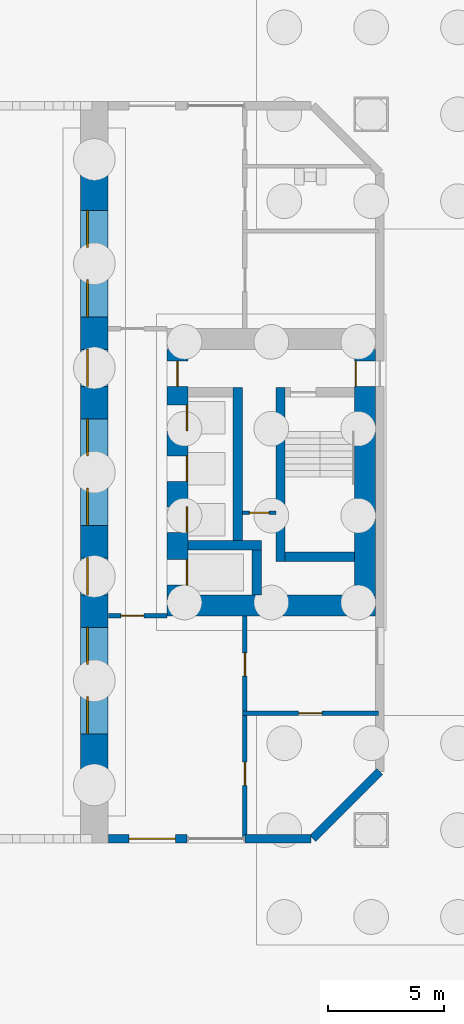
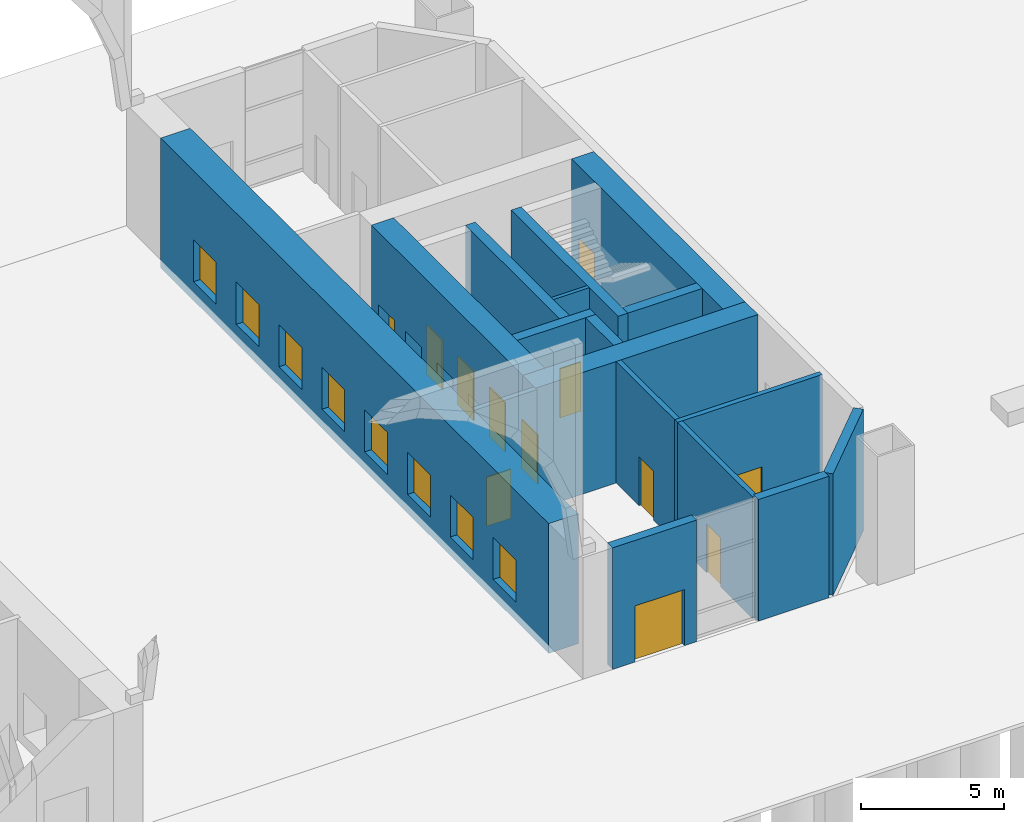
# One storey, part 15 of 26: 16 walls, 12 doors, 8 windows, 20 openings.
"""IFC4 building model written with IfcOpenShell, lengths in metres."""

from ifc_helpers import new_model, si_unit, direction, frame, frame_2d, origin, place, context, subcontext, project, spatial, rectangle, extrude, material, layer, layer_set, type_object, element, fill, save


model = new_model("IFC4")

# Units and contexts
model_context = context("Model", 3, precision=1e-05, world=origin(), true_north=direction((0.0, 1.0)))
body_context = subcontext(model_context, "Body", "Model", "MODEL_VIEW")
ifc_project = project(units=[si_unit("LENGTHUNIT", "METRE"), si_unit("AREAUNIT", "SQUARE_METRE"), si_unit("VOLUMEUNIT", "CUBIC_METRE"), si_unit("PLANEANGLEUNIT", "RADIAN"), si_unit("MASSUNIT", "GRAM", prefix="KILO")], contexts=[model_context])

# Site, building, storey
site_placement = place(None, origin())
site = spatial("IfcSite", under=ifc_project, at=site_placement, CompositionType="ELEMENT")
building_placement = place(site_placement, origin())
building = spatial("IfcBuilding", under=site, at=building_placement, Name="Tuart Gate Housing", CompositionType="ELEMENT")
storey_placement = place(building_placement, origin())
storey = spatial("IfcBuildingStorey", under=building, at=storey_placement, Name="L00", CompositionType="ELEMENT", Elevation=0.0)

# Wall
ifc_material_1 = material(Name="Brick", Category="masonry")
ifc_layer_1 = layer(ifc_material_1, 0.360107421875)
ifc_layer_set_1 = layer_set([ifc_layer_1], Name="Brick pier and spandrel wall 360")
wall_type_1 = type_object("IfcWallType", Name="Brick pier and spandrel wall 360", PredefinedType="STANDARD", material=ifc_layer_set_1)
wall_1_placement = place(storey_placement, frame((70.0, 54.179931640625, 0.0), z_axis=(0.0, 0.0, 1.0), x_axis=(1.0, 0.0, 0.0)))
element("IfcWall", 1, at=wall_1_placement, inside=storey, type_object=wall_type_1, Name="External wall A-S L00", PredefinedType="STANDARD", context=body_context, shape_type="SweptSolid", body=[
    extrude(rectangle(XDim=2.85009765625, YDim=0.360107421875, at=frame_2d((1.425048828125, 0.0))), origin(), (0.0, 0.0, 1.0), 5.199951171875),
])

# Wall, opening, door
wall_2_placement = place(storey_placement, frame((64.10009765625, 54.179931640625, 0.0), z_axis=(0.0, 0.0, 1.0), x_axis=(1.0, 0.0, 0.0)))
wall_2 = element("IfcWall", 2, at=wall_2_placement, inside=storey, type_object=wall_type_1, Name="External wall A-S L00", PredefinedType="STANDARD", context=body_context, shape_type="SweptSolid", body=[
    extrude(rectangle(XDim=3.39990234375, YDim=0.360107421875, at=frame_2d((1.699951171875, 0.0))), origin(), (0.0, 0.0, 1.0), 5.199951171875),
])
opening_1_placement = place(wall_2_placement, frame((0.89990234375, 0.0, 0.0)))
opening_1 = element("IfcOpeningElement", 3, at=opening_1_placement, cuts=wall_2, Name="Opening D2747", PredefinedType="OPENING", context=body_context, shape_type="SweptSolid", body=[
    extrude(rectangle(XDim=2.0, YDim=2.39990234375, at=frame_2d((1.0, 1.199951171875))), frame((0.0, 0.18994140625, 0.0), z_axis=(0.0, -1.0, 0.0), x_axis=(1.0, 0.0, 0.0)), (0.0, 0.0, 1.0), 0.380126953125),
])
ifc_material_2 = material(Name="Aluminium framed glazed door", Category="aluminium")
door_type_1 = type_object("IfcDoorType", Name="Sliding entrance door 2000 x 2400", OperationType="DOUBLE_DOOR_SLIDING", PredefinedType="DOOR", material=ifc_material_2)
door_1_placement = place(opening_1_placement, frame((2.0, 0.0, 0.0), z_axis=(0.0, 0.0, 1.0), x_axis=(-1.0, 0.0, 0.0)))
door_1 = element("IfcDoor", 4, at=door_1_placement, inside=storey, type_object=door_type_1, Name="Leg A residents' entrance lobby sliding door", OperationType="DOUBLE_DOOR_SLIDING", OverallHeight=2.39990234375, OverallWidth=2.0, PredefinedType="DOOR", context=body_context, shape_type="SweptSolid", body=[
    extrude(rectangle(XDim=2.0, YDim=2.39990234375, at=frame_2d((1.0, 1.199951171875))), frame((0.0, 0.025146484375, 0.0), z_axis=(0.0, -1.0, 0.0), x_axis=(1.0, 0.0, 0.0)), (0.0, 0.0, 1.0), 0.050048828125),
])
fill(opening_1, door_1)

# Wall
wall_3_placement = place(storey_placement, frame((72.92529296875, 54.179931640625, 0.0), z_axis=(0.0, 0.0, 1.0), x_axis=(0.707106781187, 0.707106781187, 0.0)))
element("IfcWall", 5, at=wall_3_placement, inside=storey, type_object=wall_type_1, Name="External wall A-SE L00", PredefinedType="STANDARD", context=body_context, shape_type="SweptSolid", body=[
    extrude(rectangle(XDim=4.09375, YDim=0.360107421875, at=frame_2d((2.046875, 0.0))), origin(), (0.0, 0.0, 1.0), 5.199951171875),
])

# Wall, opening, door
ifc_material_3 = material(Name="Plasterboard partition")
ifc_layer_2 = layer(ifc_material_3, 0.14990234375)
ifc_layer_set_2 = layer_set([ifc_layer_2], Name="Core partition 150")
wall_type_2 = type_object("IfcWallType", Name="Core partition 150", PredefinedType="PARTITIONING", material=ifc_layer_set_2)
wall_4_placement = place(storey_placement, frame((69.889892578125, 68.25, 0.0), z_axis=(0.0, 0.0, 1.0), x_axis=(1.0, 0.0, 0.0)))
wall_4 = element("IfcWall", 6, at=wall_4_placement, inside=storey, type_object=wall_type_2, Name="Core partition AG.3", PredefinedType="PARTITIONING", context=body_context, shape_type="SweptSolid", body=[
    extrude(rectangle(XDim=1.4501953125, YDim=0.14990234375, at=frame_2d((0.72509765625, 0.0))), origin(), (0.0, 0.0, 1.0), 5.199951171875),
])
opening_2_placement = place(wall_4_placement, frame((0.300048828125, 0.0, 0.0)))
opening_2 = element("IfcOpeningElement", 7, at=opening_2_placement, cuts=wall_4, Name="Opening D2732", PredefinedType="OPENING", context=body_context, shape_type="SweptSolid", body=[
    extrude(rectangle(XDim=0.85009765625, YDim=2.10009765625, at=frame_2d((0.425048828125, 1.050048828125))), frame((0.0, 0.0849609375, 0.0), z_axis=(0.0, -1.0, 0.0), x_axis=(1.0, 0.0, 0.0)), (0.0, 0.0, 1.0), 0.169921875),
])
ifc_material_4 = material(Name="Steel fire door", Category="steel")
door_type_2 = type_object("IfcDoorType", Name="Riser door 850 x 2100 RH", OperationType="SINGLE_SWING_RIGHT", PredefinedType="DOOR", material=ifc_material_4)
door_2_placement = place(opening_2_placement, frame((0.85009765625, 0.0, 0.0), z_axis=(0.0, 0.0, 1.0), x_axis=(-1.0, 0.0, 0.0)))
door_2 = element("IfcDoor", 8, at=door_2_placement, inside=storey, type_object=door_type_2, Name="Service room door AG.E1", OperationType="SINGLE_SWING_RIGHT", OverallHeight=2.10009765625, OverallWidth=0.85009765625, PredefinedType="DOOR", context=body_context, shape_type="SweptSolid", body=[
    extrude(rectangle(XDim=0.85009765625, YDim=2.10009765625, at=frame_2d((0.425048828125, 1.050048828125))), frame((0.0, 0.025146484375, 0.0), z_axis=(0.0, -1.0, 0.0), x_axis=(1.0, 0.0, 0.0)), (0.0, 0.0, 1.0), 0.050048828125),
])
fill(opening_2, door_2)

# Walls
ifc_material_5 = material(Name="Concrete C60", Category="concrete")
ifc_layer_3 = layer(ifc_material_5, 0.39990234375)
ifc_layer_set_3 = layer_set([ifc_layer_3], Name="Core wall 400 C60")
wall_type_3 = type_object("IfcWallType", Name="Core wall 400 C60", PredefinedType="SHEAR", material=ifc_layer_set_3)
wall_5_placement = place(storey_placement, frame((71.739990234375, 66.35009765625, 0.0), z_axis=(0.0, 0.0, 1.0), x_axis=(1.0, 0.0, 0.0)))
element("IfcWall", 9, at=wall_5_placement, inside=storey, type_object=wall_type_3, Name="Core wall AG.1", PredefinedType="SHEAR", context=body_context, shape_type="SweptSolid", body=[
    extrude(rectangle(XDim=3.0, YDim=0.39990234375, at=frame_2d((1.5, 0.0))), origin(), (0.0, 0.0, 1.0), 5.199951171875),
])
wall_6_placement = place(storey_placement, frame((67.5400390625, 66.85009765625, 0.0), z_axis=(0.0, 0.0, 1.0), x_axis=(1.0, 0.0, 0.0)))
element("IfcWall", 10, at=wall_6_placement, inside=storey, type_object=wall_type_3, Name="Core wall AG.2", PredefinedType="SHEAR", context=body_context, shape_type="SweptSolid", body=[
    extrude(rectangle(XDim=3.169921875, YDim=0.39990234375, at=frame_2d((1.5849609375, 0.0))), origin(), (0.0, 0.0, 1.0), 5.199951171875),
])
wall_7_placement = place(storey_placement, frame((69.68994140625, 67.050048828125, 0.0), z_axis=(0.0, 0.0, 1.0), x_axis=(0.0, 1.0, 0.0)))
element("IfcWall", 11, at=wall_7_placement, inside=storey, type_object=wall_type_3, Name="Core wall AG.6", PredefinedType="SHEAR", context=body_context, shape_type="SweptSolid", body=[
    extrude(rectangle(XDim=6.599853515625, YDim=0.39990234375, at=frame_2d((3.2998046875, 0.0))), origin(), (0.0, 0.0, 1.0), 5.199951171875),
])
wall_8_placement = place(storey_placement, frame((70.510009765625, 64.699951171875, 0.0), z_axis=(0.0, 0.0, 1.0), x_axis=(0.0, 1.0, 0.0)))
element("IfcWall", 12, at=wall_8_placement, inside=storey, type_object=wall_type_3, Name="Core wall AG.7", PredefinedType="SHEAR", context=body_context, shape_type="SweptSolid", body=[
    extrude(rectangle(XDim=1.949951171875, YDim=0.39990234375, at=frame_2d((0.97509765625, 0.0))), origin(), (0.0, 0.0, 1.0), 5.199951171875),
])
wall_9_placement = place(storey_placement, frame((71.5400390625, 66.14990234375, 0.0), z_axis=(0.0, 0.0, 1.0), x_axis=(0.0, 1.0, 0.0)))
element("IfcWall", 13, at=wall_9_placement, inside=storey, type_object=wall_type_3, Name="Core wall AG.8", PredefinedType="SHEAR", context=body_context, shape_type="SweptSolid", body=[
    extrude(rectangle(XDim=7.5, YDim=0.39990234375, at=frame_2d((3.75, 0.0))), origin(), (0.0, 0.0, 1.0), 5.199951171875),
])

# Wall, openings, doors
ifc_material_6 = material(Name="Concrete C60", Category="concrete")
ifc_layer_4 = layer(ifc_material_6, 0.89990234375)
ifc_layer_set_4 = layer_set([ifc_layer_4], Name="Core wall 900 C60")
wall_type_4 = type_object("IfcWallType", Name="Core wall 900 C60", PredefinedType="SHEAR", material=ifc_layer_set_4)
wall_10_placement = place(storey_placement, frame((67.090087890625, 64.699951171875, 0.0), z_axis=(0.0, 0.0, 1.0), x_axis=(0.0, 1.0, 0.0)))
wall_10 = element("IfcWall", 14, at=wall_10_placement, inside=storey, type_object=wall_type_4, Name="Core wall AG front", PredefinedType="SHEAR", context=body_context, shape_type="SweptSolid", body=[
    extrude(rectangle(XDim=10.60009765625, YDim=0.89990234375, at=frame_2d((5.300048828125, 0.0))), origin(), (0.0, 0.0, 1.0), 5.199951171875),
])
opening_3_placement = place(wall_10_placement, frame((0.425048828125, 0.0, 0.0)))
opening_3 = element("IfcOpeningElement", 15, at=opening_3_placement, cuts=wall_10, Name="Opening LD-FA1", PredefinedType="OPENING", context=body_context, shape_type="SweptSolid", body=[
    extrude(rectangle(XDim=1.10009765625, YDim=2.10009765625, at=frame_2d((0.550048828125, 1.050048828125))), frame((0.0, 0.4599609375, 0.0), z_axis=(0.0, -1.0, 0.0), x_axis=(1.0, 0.0, 0.0)), (0.0, 0.0, 1.0), 0.919921875),
])
opening_4_placement = place(wall_10_placement, frame((2.699951171875, 0.0, 0.0)))
opening_4 = element("IfcOpeningElement", 16, at=opening_4_placement, cuts=wall_10, Name="Opening LD-LA1", PredefinedType="OPENING", context=body_context, shape_type="SweptSolid", body=[
    extrude(rectangle(XDim=1.10009765625, YDim=2.10009765625, at=frame_2d((0.550048828125, 1.050048828125))), frame((0.0, 0.4599609375, 0.0), z_axis=(0.0, -1.0, 0.0), x_axis=(1.0, 0.0, 0.0)), (0.0, 0.0, 1.0), 0.919921875),
])
opening_5_placement = place(wall_10_placement, frame((4.89990234375, 0.0, 0.0)))
opening_5 = element("IfcOpeningElement", 17, at=opening_5_placement, cuts=wall_10, Name="Opening LD-LA2", PredefinedType="OPENING", context=body_context, shape_type="SweptSolid", body=[
    extrude(rectangle(XDim=1.10009765625, YDim=2.10009765625, at=frame_2d((0.550048828125, 1.050048828125))), frame((0.0, 0.4599609375, 0.0), z_axis=(0.0, -1.0, 0.0), x_axis=(1.0, 0.0, 0.0)), (0.0, 0.0, 1.0), 0.919921875),
])
opening_6_placement = place(wall_10_placement, frame((7.10009765625, 0.0, 0.0)))
opening_6 = element("IfcOpeningElement", 18, at=opening_6_placement, cuts=wall_10, Name="Opening LD-LA3", PredefinedType="OPENING", context=body_context, shape_type="SweptSolid", body=[
    extrude(rectangle(XDim=1.10009765625, YDim=2.10009765625, at=frame_2d((0.550048828125, 1.050048828125))), frame((0.0, 0.4599609375, 0.0), z_axis=(0.0, -1.0, 0.0), x_axis=(1.0, 0.0, 0.0)), (0.0, 0.0, 1.0), 0.919921875),
])
opening_7_placement = place(wall_10_placement, frame((9.0, 0.0, 0.0)))
opening_7 = element("IfcOpeningElement", 19, at=opening_7_placement, cuts=wall_10, Name="Opening D2729", PredefinedType="OPENING", context=body_context, shape_type="SweptSolid", body=[
    extrude(rectangle(XDim=1.10009765625, YDim=2.10009765625, at=frame_2d((0.550048828125, 1.050048828125))), frame((0.0, 0.4599609375, 0.0), z_axis=(0.0, -1.0, 0.0), x_axis=(1.0, 0.0, 0.0)), (0.0, 0.0, 1.0), 0.919921875),
])
ifc_material_7 = material(Name="Stainless steel", Category="steel")
door_type_3 = type_object("IfcDoorType", Name="Landing door 1100 x 2100", OperationType="DOUBLE_DOOR_SLIDING", PredefinedType="DOOR", material=ifc_material_7)
door_3_placement = place(opening_3_placement, origin())
door_3 = element("IfcDoor", 20, at=door_3_placement, inside=storey, type_object=door_type_3, Name="Lift landing door FA1", OperationType="DOUBLE_DOOR_SLIDING", OverallHeight=2.10009765625, OverallWidth=1.10009765625, PredefinedType="DOOR", context=body_context, shape_type="SweptSolid", body=[
    extrude(rectangle(XDim=1.10009765625, YDim=2.10009765625, at=frame_2d((0.550048828125, 1.050048828125))), frame((0.0, -0.384765625, 0.0), z_axis=(0.0, -1.0, 0.0), x_axis=(1.0, 0.0, 0.0)), (0.0, 0.0, 1.0), 0.050048828125),
])
fill(opening_3, door_3)
door_4_placement = place(opening_4_placement, origin())
door_4 = element("IfcDoor", 21, at=door_4_placement, inside=storey, type_object=door_type_3, Name="Lift landing door LA1", OperationType="DOUBLE_DOOR_SLIDING", OverallHeight=2.10009765625, OverallWidth=1.10009765625, PredefinedType="DOOR", context=body_context, shape_type="SweptSolid", body=[
    extrude(rectangle(XDim=1.10009765625, YDim=2.10009765625, at=frame_2d((0.550048828125, 1.050048828125))), frame((0.0, -0.384765625, 0.0), z_axis=(0.0, -1.0, 0.0), x_axis=(1.0, 0.0, 0.0)), (0.0, 0.0, 1.0), 0.050048828125),
])
fill(opening_4, door_4)
door_5_placement = place(opening_5_placement, origin())
door_5 = element("IfcDoor", 22, at=door_5_placement, inside=storey, type_object=door_type_3, Name="Lift landing door LA2", OperationType="DOUBLE_DOOR_SLIDING", OverallHeight=2.10009765625, OverallWidth=1.10009765625, PredefinedType="DOOR", context=body_context, shape_type="SweptSolid", body=[
    extrude(rectangle(XDim=1.10009765625, YDim=2.10009765625, at=frame_2d((0.550048828125, 1.050048828125))), frame((0.0, -0.384765625, 0.0), z_axis=(0.0, -1.0, 0.0), x_axis=(1.0, 0.0, 0.0)), (0.0, 0.0, 1.0), 0.050048828125),
])
fill(opening_5, door_5)
door_6_placement = place(opening_6_placement, origin())
door_6 = element("IfcDoor", 23, at=door_6_placement, inside=storey, type_object=door_type_3, Name="Lift landing door LA3", OperationType="DOUBLE_DOOR_SLIDING", OverallHeight=2.10009765625, OverallWidth=1.10009765625, PredefinedType="DOOR", context=body_context, shape_type="SweptSolid", body=[
    extrude(rectangle(XDim=1.10009765625, YDim=2.10009765625, at=frame_2d((0.550048828125, 1.050048828125))), frame((0.0, -0.384765625, 0.0), z_axis=(0.0, -1.0, 0.0), x_axis=(1.0, 0.0, 0.0)), (0.0, 0.0, 1.0), 0.050048828125),
])
fill(opening_6, door_6)
ifc_material_8 = material(Name="Steel fire door", Category="steel")
door_type_4 = type_object("IfcDoorType", Name="Lobby door 1100 x 2100 RH", OperationType="SINGLE_SWING_RIGHT", PredefinedType="DOOR", material=ifc_material_8)
door_7_placement = place(opening_7_placement, frame((1.10009765625, 0.0, 0.0), z_axis=(0.0, 0.0, 1.0), x_axis=(-1.0, 0.0, 0.0)))
door_7 = element("IfcDoor", 24, at=door_7_placement, inside=storey, type_object=door_type_4, Name="Lobby entry door AG.EN", OperationType="SINGLE_SWING_RIGHT", OverallHeight=2.10009765625, OverallWidth=1.10009765625, PredefinedType="DOOR", context=body_context, shape_type="SweptSolid", body=[
    extrude(rectangle(XDim=1.10009765625, YDim=2.10009765625, at=frame_2d((0.550048828125, 1.050048828125))), frame((0.0, 0.025146484375, 0.0), z_axis=(0.0, -1.0, 0.0), x_axis=(1.0, 0.0, 0.0)), (0.0, 0.0, 1.0), 0.050048828125),
])
fill(opening_7, door_7)

# Wall, opening, door
wall_11_placement = place(storey_placement, frame((75.18994140625, 64.699951171875, 0.0), z_axis=(0.0, 0.0, 1.0), x_axis=(0.0, 1.0, 0.0)))
wall_11 = element("IfcWall", 25, at=wall_11_placement, inside=storey, type_object=wall_type_4, Name="Core wall AG back", PredefinedType="SHEAR", context=body_context, shape_type="SweptSolid", body=[
    extrude(rectangle(XDim=10.60009765625, YDim=0.89990234375, at=frame_2d((5.300048828125, 0.0))), origin(), (0.0, 0.0, 1.0), 5.199951171875),
])
opening_8_placement = place(wall_11_placement, frame((9.0, 0.0, 0.0)))
opening_8 = element("IfcOpeningElement", 26, at=opening_8_placement, cuts=wall_11, Name="Opening D2730", PredefinedType="OPENING", context=body_context, shape_type="SweptSolid", body=[
    extrude(rectangle(XDim=1.10009765625, YDim=2.10009765625, at=frame_2d((0.550048828125, 1.050048828125))), frame((0.0, 0.4599609375, 0.0), z_axis=(0.0, -1.0, 0.0), x_axis=(1.0, 0.0, 0.0)), (0.0, 0.0, 1.0), 0.919921875),
])
ifc_material_9 = material(Name="Steel fire door", Category="steel")
door_type_5 = type_object("IfcDoorType", Name="Stair door 1100 x 2100 RH", OperationType="SINGLE_SWING_RIGHT", PredefinedType="DOOR", material=ifc_material_9)
door_8_placement = place(opening_8_placement, frame((1.10009765625, 0.0, 0.0), z_axis=(0.0, 0.0, 1.0), x_axis=(-1.0, 0.0, 0.0)))
door_8 = element("IfcDoor", 27, at=door_8_placement, inside=storey, type_object=door_type_5, Name="Stair exit door AG.EX", OperationType="SINGLE_SWING_RIGHT", OverallHeight=2.10009765625, OverallWidth=1.10009765625, PredefinedType="DOOR", context=body_context, shape_type="SweptSolid", body=[
    extrude(rectangle(XDim=1.10009765625, YDim=2.10009765625, at=frame_2d((0.550048828125, 1.050048828125))), frame((0.0, -0.385009765625, 0.0), z_axis=(0.0, -1.0, 0.0), x_axis=(1.0, 0.0, 0.0)), (0.0, 0.0, 1.0), 0.050048828125),
])
fill(opening_8, door_8)

# Wall
wall_12_placement = place(storey_placement, frame((66.639892578125, 64.25, 0.0), z_axis=(0.0, 0.0, 1.0), x_axis=(1.0, 0.0, 0.0)))
element("IfcWall", 28, at=wall_12_placement, inside=storey, type_object=wall_type_4, Name="Core wall AG south", PredefinedType="SHEAR", context=body_context, shape_type="SweptSolid", body=[
    extrude(rectangle(XDim=9.0, YDim=0.89990234375, at=frame_2d((4.5, 0.0))), origin(), (0.0, 0.0, 1.0), 5.199951171875),
])

# Wall, opening, door
ifc_material_10 = material(Name="Concrete masonry 15 MPa", Category="masonry")
ifc_layer_5 = layer(ifc_material_10, 0.199951171875)
ifc_layer_set_5 = layer_set([ifc_layer_5], Name="Enclosure wall masonry 200")
wall_type_5 = type_object("IfcWallType", Name="Enclosure wall masonry 200", PredefinedType="PARTITIONING", material=ifc_layer_set_5)
wall_13_placement = place(storey_placement, frame((69.89990234375, 59.60009765625, 0.0), z_axis=(0.0, 0.0, 1.0), x_axis=(1.0, 0.0, 0.0)))
wall_13 = element("IfcWall", 29, at=wall_13_placement, inside=storey, type_object=wall_type_5, Name="Enclosure wall masonry 200", PredefinedType="PARTITIONING", context=body_context, shape_type="SweptSolid", body=[
    extrude(rectangle(XDim=5.860107421875, YDim=0.199951171875, at=frame_2d((2.93017578125, 0.0))), origin(), (0.0, 0.0, 1.0), 5.199951171875),
])
opening_9_placement = place(wall_13_placement, frame((2.419921875, 0.0, 0.0)))
opening_9 = element("IfcOpeningElement", 30, at=opening_9_placement, cuts=wall_13, Name="Opening D2740", PredefinedType="OPENING", context=body_context, shape_type="SweptSolid", body=[
    extrude(rectangle(XDim=1.0, YDim=2.10009765625, at=frame_2d((0.5, 1.050048828125))), frame((0.0, 0.10986328125, 0.0), z_axis=(0.0, -1.0, 0.0), x_axis=(1.0, 0.0, 0.0)), (0.0, 0.0, 1.0), 0.219970703125),
])
ifc_material_11 = material(Name="Timber door leaf in steel frame", Category="steel")
door_type_6 = type_object("IfcDoorType", Name="Control room door 1000 RH", OperationType="SINGLE_SWING_RIGHT", PredefinedType="DOOR", material=ifc_material_11)
door_9_placement = place(opening_9_placement, frame((1.0, 0.0, 0.0), z_axis=(0.0, 0.0, 1.0), x_axis=(-1.0, 0.0, 0.0)))
door_9 = element("IfcDoor", 31, at=door_9_placement, inside=storey, type_object=door_type_6, Name="Control room door 1000", OperationType="SINGLE_SWING_RIGHT", OverallHeight=2.10009765625, OverallWidth=1.0, PredefinedType="DOOR", context=body_context, shape_type="SweptSolid", body=[
    extrude(rectangle(XDim=1.0, YDim=2.10009765625, at=frame_2d((0.5, 1.050048828125))), frame((0.0, 0.025146484375, 0.0), z_axis=(0.0, -1.0, 0.0), x_axis=(1.0, 0.0, 0.0)), (0.0, 0.0, 1.0), 0.050048828125),
])
fill(opening_9, door_9)

wall_14_placement = place(storey_placement, frame((64.10009765625, 63.800048828125, 0.0), z_axis=(0.0, 0.0, 1.0), x_axis=(1.0, 0.0, 0.0)))
wall_14 = element("IfcWall", 32, at=wall_14_placement, inside=storey, type_object=wall_type_5, Name="Enclosure wall masonry 200", PredefinedType="PARTITIONING", context=body_context, shape_type="SweptSolid", body=[
    extrude(rectangle(XDim=2.539794921875, YDim=0.199951171875, at=frame_2d((1.27001953125, 0.0))), origin(), (0.0, 0.0, 1.0), 5.199951171875),
])
opening_10_placement = place(wall_14_placement, frame((0.5400390625, 0.0, 0.0)))
opening_10 = element("IfcOpeningElement", 33, at=opening_10_placement, cuts=wall_14, Name="Opening D2737", PredefinedType="OPENING", context=body_context, shape_type="SweptSolid", body=[
    extrude(rectangle(XDim=1.0, YDim=2.10009765625, at=frame_2d((0.5, 1.050048828125))), frame((0.0, 0.10986328125, 0.0), z_axis=(0.0, -1.0, 0.0), x_axis=(1.0, 0.0, 0.0)), (0.0, 0.0, 1.0), 0.219970703125),
])
ifc_material_12 = material(Name="Timber door leaf in steel frame", Category="steel")
door_type_7 = type_object("IfcDoorType", Name="Lobby door 1000", OperationType="SINGLE_SWING_LEFT", PredefinedType="DOOR", material=ifc_material_12)
door_10_placement = place(opening_10_placement, origin())
door_10 = element("IfcDoor", 34, at=door_10_placement, inside=storey, type_object=door_type_7, Name="Lobby door 1000", OperationType="SINGLE_SWING_LEFT", OverallHeight=2.10009765625, OverallWidth=1.0, PredefinedType="DOOR", context=body_context, shape_type="SweptSolid", body=[
    extrude(rectangle(XDim=1.0, YDim=2.10009765625, at=frame_2d((0.5, 1.050048828125))), frame((0.0, 0.02490234375, 0.0), z_axis=(0.0, -1.0, 0.0), x_axis=(1.0, 0.0, 0.0)), (0.0, 0.0, 1.0), 0.050048828125),
])
fill(opening_10, door_10)

# Wall, openings, doors
wall_15_placement = place(storey_placement, frame((70.0, 54.239990234375, 0.0), z_axis=(0.0, 0.0, 1.0), x_axis=(0.0, 1.0, 0.0)))
wall_15 = element("IfcWall", 35, at=wall_15_placement, inside=storey, type_object=wall_type_5, Name="Enclosure wall masonry 200", PredefinedType="PARTITIONING", context=body_context, shape_type="SweptSolid", body=[
    extrude(rectangle(XDim=9.56005859375, YDim=0.199951171875, at=frame_2d((4.780029296875, 0.0))), origin(), (0.0, 0.0, 1.0), 5.199951171875),
])
opening_11_placement = place(wall_15_placement, frame((2.239990234375, 0.0, 0.0)))
opening_11 = element("IfcOpeningElement", 36, at=opening_11_placement, cuts=wall_15, Name="Opening D2741", PredefinedType="OPENING", context=body_context, shape_type="SweptSolid", body=[
    extrude(rectangle(XDim=1.0, YDim=2.10009765625, at=frame_2d((0.5, 1.050048828125))), frame((0.0, 0.10986328125, 0.0), z_axis=(0.0, -1.0, 0.0), x_axis=(1.0, 0.0, 0.0)), (0.0, 0.0, 1.0), 0.219970703125),
])
opening_12_placement = place(wall_15_placement, frame((6.9599609375, 0.0, 0.0)))
opening_12 = element("IfcOpeningElement", 37, at=opening_12_placement, cuts=wall_15, Name="Opening D2742", PredefinedType="OPENING", context=body_context, shape_type="SweptSolid", body=[
    extrude(rectangle(XDim=1.0, YDim=2.10009765625, at=frame_2d((0.5, 1.050048828125))), frame((0.0, 0.10986328125, 0.0), z_axis=(0.0, -1.0, 0.0), x_axis=(1.0, 0.0, 0.0)), (0.0, 0.0, 1.0), 0.219970703125),
])
door_11_placement = place(opening_11_placement, frame((1.0, 0.0, 0.0), z_axis=(0.0, 0.0, 1.0), x_axis=(-1.0, 0.0, 0.0)))
door_11 = element("IfcDoor", 38, at=door_11_placement, inside=storey, type_object=door_type_6, Name="Control room door 1000", OperationType="SINGLE_SWING_RIGHT", OverallHeight=2.10009765625, OverallWidth=1.0, PredefinedType="DOOR", context=body_context, shape_type="SweptSolid", body=[
    extrude(rectangle(XDim=1.0, YDim=2.10009765625, at=frame_2d((0.5, 1.050048828125))), frame((0.0, 0.025146484375, 0.0), z_axis=(0.0, -1.0, 0.0), x_axis=(1.0, 0.0, 0.0)), (0.0, 0.0, 1.0), 0.050048828125),
])
fill(opening_11, door_11)
ifc_material_13 = material(Name="Timber door leaf in steel frame", Category="steel")
door_type_8 = type_object("IfcDoorType", Name="Fire door 1000 RH", OperationType="SINGLE_SWING_RIGHT", PredefinedType="DOOR", material=ifc_material_13)
door_12_placement = place(opening_12_placement, frame((1.0, 0.0, 0.0), z_axis=(0.0, 0.0, 1.0), x_axis=(-1.0, 0.0, 0.0)))
door_12 = element("IfcDoor", 39, at=door_12_placement, inside=storey, type_object=door_type_8, Name="Fire door 1000", OperationType="SINGLE_SWING_RIGHT", OverallHeight=2.10009765625, OverallWidth=1.0, PredefinedType="DOOR", context=body_context, shape_type="SweptSolid", body=[
    extrude(rectangle(XDim=1.0, YDim=2.10009765625, at=frame_2d((0.5, 1.050048828125))), frame((0.0, 0.025146484375, 0.0), z_axis=(0.0, -1.0, 0.0), x_axis=(1.0, 0.0, 0.0)), (0.0, 0.0, 1.0), 0.050048828125),
])
fill(opening_12, door_12)

# Wall, openings, windows
ifc_material_14 = material(Name="Concrete C60", Category="concrete")
ifc_layer_6 = layer(ifc_material_14, 1.199951171875)
ifc_layer_set_6 = layer_set([ifc_layer_6], Name="RC wall 1200 C60")
wall_type_6 = type_object("IfcWallType", Name="RC wall 1200 C60", PredefinedType="SHEAR", material=ifc_layer_set_6)
wall_16_placement = place(storey_placement, frame((63.5, 56.39990234375, -0.35009765625), z_axis=(0.0, 0.0, 1.0), x_axis=(0.0, 1.0, 0.0)))
wall_16 = element("IfcWall", 40, at=wall_16_placement, inside=storey, type_object=wall_type_6, Name="Pier wall AE L00", PredefinedType="SHEAR", context=body_context, shape_type="SweptSolid", body=[
    extrude(rectangle(XDim=27.2001953125, YDim=1.199951171875, at=frame_2d((13.60009765625, 0.0))), origin(), (0.0, 0.0, 1.0), 5.550048828125),
])
opening_13_placement = place(wall_16_placement, frame((2.300048828125, 0.0, 0.800048828125)))
opening_13 = element("IfcOpeningElement", 41, at=opening_13_placement, cuts=wall_16, Name="Opening W1", PredefinedType="OPENING", context=body_context, shape_type="SweptSolid", body=[
    extrude(rectangle(XDim=1.60009765625, YDim=1.800048828125, at=frame_2d((0.800048828125, 0.89990234375))), frame((0.0, 0.60986328125, 0.0), z_axis=(0.0, -1.0, 0.0), x_axis=(1.0, 0.0, 0.0)), (0.0, 0.0, 1.0), 1.219970703125),
])
opening_14_placement = place(wall_16_placement, frame((5.300048828125, 0.0, 0.800048828125)))
opening_14 = element("IfcOpeningElement", 42, at=opening_14_placement, cuts=wall_16, Name="Opening W1", PredefinedType="OPENING", context=body_context, shape_type="SweptSolid", body=[
    extrude(rectangle(XDim=1.60009765625, YDim=1.800048828125, at=frame_2d((0.800048828125, 0.89990234375))), frame((0.0, 0.60986328125, 0.0), z_axis=(0.0, -1.0, 0.0), x_axis=(1.0, 0.0, 0.0)), (0.0, 0.0, 1.0), 1.219970703125),
])
opening_15_placement = place(wall_16_placement, frame((8.300048828125, 0.0, 0.800048828125)))
opening_15 = element("IfcOpeningElement", 43, at=opening_15_placement, cuts=wall_16, Name="Opening W1", PredefinedType="OPENING", context=body_context, shape_type="SweptSolid", body=[
    extrude(rectangle(XDim=1.60009765625, YDim=1.800048828125, at=frame_2d((0.800048828125, 0.89990234375))), frame((0.0, 0.60986328125, 0.0), z_axis=(0.0, -1.0, 0.0), x_axis=(1.0, 0.0, 0.0)), (0.0, 0.0, 1.0), 1.219970703125),
])
opening_16_placement = place(wall_16_placement, frame((11.300048828125, 0.0, 0.800048828125)))
opening_16 = element("IfcOpeningElement", 44, at=opening_16_placement, cuts=wall_16, Name="Opening W1", PredefinedType="OPENING", context=body_context, shape_type="SweptSolid", body=[
    extrude(rectangle(XDim=1.60009765625, YDim=1.800048828125, at=frame_2d((0.800048828125, 0.89990234375))), frame((0.0, 0.60986328125, 0.0), z_axis=(0.0, -1.0, 0.0), x_axis=(1.0, 0.0, 0.0)), (0.0, 0.0, 1.0), 1.219970703125),
])
opening_17_placement = place(wall_16_placement, frame((14.300048828125, 0.0, 0.800048828125)))
opening_17 = element("IfcOpeningElement", 45, at=opening_17_placement, cuts=wall_16, Name="Opening W1", PredefinedType="OPENING", context=body_context, shape_type="SweptSolid", body=[
    extrude(rectangle(XDim=1.60009765625, YDim=1.800048828125, at=frame_2d((0.800048828125, 0.89990234375))), frame((0.0, 0.60986328125, 0.0), z_axis=(0.0, -1.0, 0.0), x_axis=(1.0, 0.0, 0.0)), (0.0, 0.0, 1.0), 1.219970703125),
])
opening_18_placement = place(wall_16_placement, frame((17.300048828125, 0.0, 0.800048828125)))
opening_18 = element("IfcOpeningElement", 46, at=opening_18_placement, cuts=wall_16, Name="Opening W1", PredefinedType="OPENING", context=body_context, shape_type="SweptSolid", body=[
    extrude(rectangle(XDim=1.60009765625, YDim=1.800048828125, at=frame_2d((0.800048828125, 0.89990234375))), frame((0.0, 0.60986328125, 0.0), z_axis=(0.0, -1.0, 0.0), x_axis=(1.0, 0.0, 0.0)), (0.0, 0.0, 1.0), 1.219970703125),
])
opening_19_placement = place(wall_16_placement, frame((20.300048828125, 0.0, 0.800048828125)))
opening_19 = element("IfcOpeningElement", 47, at=opening_19_placement, cuts=wall_16, Name="Opening W1", PredefinedType="OPENING", context=body_context, shape_type="SweptSolid", body=[
    extrude(rectangle(XDim=1.60009765625, YDim=1.800048828125, at=frame_2d((0.800048828125, 0.89990234375))), frame((0.0, 0.60986328125, 0.0), z_axis=(0.0, -1.0, 0.0), x_axis=(1.0, 0.0, 0.0)), (0.0, 0.0, 1.0), 1.219970703125),
])
opening_20_placement = place(wall_16_placement, frame((23.300048828125, 0.0, 0.800048828125)))
opening_20 = element("IfcOpeningElement", 48, at=opening_20_placement, cuts=wall_16, Name="Opening W1", PredefinedType="OPENING", context=body_context, shape_type="SweptSolid", body=[
    extrude(rectangle(XDim=1.60009765625, YDim=1.800048828125, at=frame_2d((0.800048828125, 0.89990234375))), frame((0.0, 0.60986328125, 0.0), z_axis=(0.0, -1.0, 0.0), x_axis=(1.0, 0.0, 0.0)), (0.0, 0.0, 1.0), 1.219970703125),
])
ifc_material_15 = material(Name="Aluminium frame with clear glass", Category="aluminium")
window_type = type_object("IfcWindowType", Name="Punched window 1600 x 1800", PartitioningType="SINGLE_PANEL", PredefinedType="WINDOW", material=ifc_material_15)
window_1_placement = place(opening_13_placement, origin())
window_1 = element("IfcWindow", 49, at=window_1_placement, inside=storey, type_object=window_type, Name="Window W1", OverallHeight=1.800048828125, OverallWidth=1.60009765625, PartitioningType="SINGLE_PANEL", PredefinedType="WINDOW", context=body_context, shape_type="SweptSolid", body=[
    extrude(rectangle(XDim=1.60009765625, YDim=1.800048828125, at=frame_2d((0.800048828125, 0.89990234375))), frame((0.0, 0.330078125, 0.0), z_axis=(0.0, -1.0, 0.0), x_axis=(1.0, 0.0, 0.0)), (0.0, 0.0, 1.0), 0.06005859375),
])
fill(opening_13, window_1)
window_2_placement = place(opening_14_placement, origin())
window_2 = element("IfcWindow", 50, at=window_2_placement, inside=storey, type_object=window_type, Name="Window W1", OverallHeight=1.800048828125, OverallWidth=1.60009765625, PartitioningType="SINGLE_PANEL", PredefinedType="WINDOW", context=body_context, shape_type="SweptSolid", body=[
    extrude(rectangle(XDim=1.60009765625, YDim=1.800048828125, at=frame_2d((0.800048828125, 0.89990234375))), frame((0.0, 0.330078125, 0.0), z_axis=(0.0, -1.0, 0.0), x_axis=(1.0, 0.0, 0.0)), (0.0, 0.0, 1.0), 0.06005859375),
])
fill(opening_14, window_2)
window_3_placement = place(opening_15_placement, origin())
window_3 = element("IfcWindow", 51, at=window_3_placement, inside=storey, type_object=window_type, Name="Window W1", OverallHeight=1.800048828125, OverallWidth=1.60009765625, PartitioningType="SINGLE_PANEL", PredefinedType="WINDOW", context=body_context, shape_type="SweptSolid", body=[
    extrude(rectangle(XDim=1.60009765625, YDim=1.800048828125, at=frame_2d((0.800048828125, 0.89990234375))), frame((0.0, 0.330078125, 0.0), z_axis=(0.0, -1.0, 0.0), x_axis=(1.0, 0.0, 0.0)), (0.0, 0.0, 1.0), 0.06005859375),
])
fill(opening_15, window_3)
window_4_placement = place(opening_16_placement, origin())
window_4 = element("IfcWindow", 52, at=window_4_placement, inside=storey, type_object=window_type, Name="Window W1", OverallHeight=1.800048828125, OverallWidth=1.60009765625, PartitioningType="SINGLE_PANEL", PredefinedType="WINDOW", context=body_context, shape_type="SweptSolid", body=[
    extrude(rectangle(XDim=1.60009765625, YDim=1.800048828125, at=frame_2d((0.800048828125, 0.89990234375))), frame((0.0, 0.330078125, 0.0), z_axis=(0.0, -1.0, 0.0), x_axis=(1.0, 0.0, 0.0)), (0.0, 0.0, 1.0), 0.06005859375),
])
fill(opening_16, window_4)
window_5_placement = place(opening_17_placement, origin())
window_5 = element("IfcWindow", 53, at=window_5_placement, inside=storey, type_object=window_type, Name="Window W1", OverallHeight=1.800048828125, OverallWidth=1.60009765625, PartitioningType="SINGLE_PANEL", PredefinedType="WINDOW", context=body_context, shape_type="SweptSolid", body=[
    extrude(rectangle(XDim=1.60009765625, YDim=1.800048828125, at=frame_2d((0.800048828125, 0.89990234375))), frame((0.0, 0.330078125, 0.0), z_axis=(0.0, -1.0, 0.0), x_axis=(1.0, 0.0, 0.0)), (0.0, 0.0, 1.0), 0.06005859375),
])
fill(opening_17, window_5)
window_6_placement = place(opening_18_placement, origin())
window_6 = element("IfcWindow", 54, at=window_6_placement, inside=storey, type_object=window_type, Name="Window W1", OverallHeight=1.800048828125, OverallWidth=1.60009765625, PartitioningType="SINGLE_PANEL", PredefinedType="WINDOW", context=body_context, shape_type="SweptSolid", body=[
    extrude(rectangle(XDim=1.60009765625, YDim=1.800048828125, at=frame_2d((0.800048828125, 0.89990234375))), frame((0.0, 0.330078125, 0.0), z_axis=(0.0, -1.0, 0.0), x_axis=(1.0, 0.0, 0.0)), (0.0, 0.0, 1.0), 0.06005859375),
])
fill(opening_18, window_6)
window_7_placement = place(opening_19_placement, origin())
window_7 = element("IfcWindow", 55, at=window_7_placement, inside=storey, type_object=window_type, Name="Window W1", OverallHeight=1.800048828125, OverallWidth=1.60009765625, PartitioningType="SINGLE_PANEL", PredefinedType="WINDOW", context=body_context, shape_type="SweptSolid", body=[
    extrude(rectangle(XDim=1.60009765625, YDim=1.800048828125, at=frame_2d((0.800048828125, 0.89990234375))), frame((0.0, 0.330078125, 0.0), z_axis=(0.0, -1.0, 0.0), x_axis=(1.0, 0.0, 0.0)), (0.0, 0.0, 1.0), 0.06005859375),
])
fill(opening_19, window_7)
window_8_placement = place(opening_20_placement, origin())
window_8 = element("IfcWindow", 56, at=window_8_placement, inside=storey, type_object=window_type, Name="Window W1", OverallHeight=1.800048828125, OverallWidth=1.60009765625, PartitioningType="SINGLE_PANEL", PredefinedType="WINDOW", context=body_context, shape_type="SweptSolid", body=[
    extrude(rectangle(XDim=1.60009765625, YDim=1.800048828125, at=frame_2d((0.800048828125, 0.89990234375))), frame((0.0, 0.330078125, 0.0), z_axis=(0.0, -1.0, 0.0), x_axis=(1.0, 0.0, 0.0)), (0.0, 0.0, 1.0), 0.06005859375),
])
fill(opening_20, window_8)

save(model, "model.ifc")
